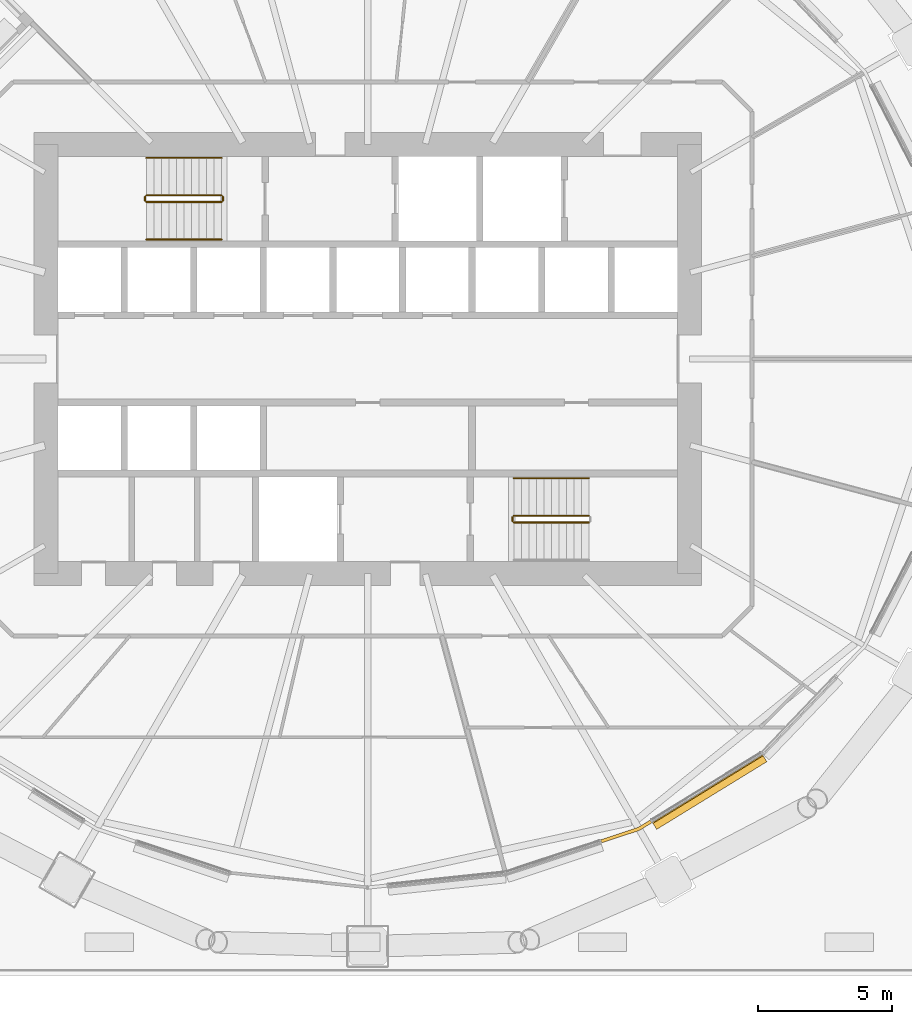
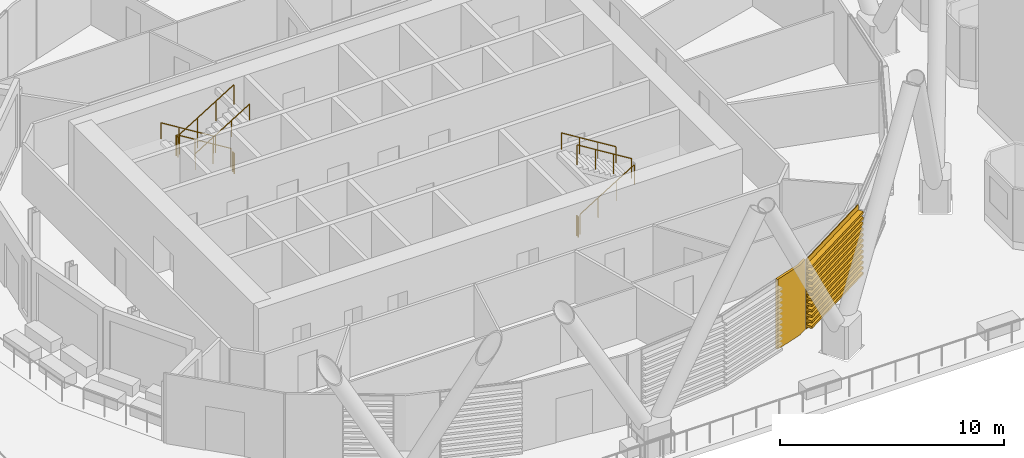
# One storey, part 37 of 47: 10 railings, 2 coverings.
"""IFC4 building model written with IfcOpenShell, lengths in metres."""

from ifc_helpers import new_model, si_unit, direction, frame, origin, origin_2d, place, context, subcontext, project, spatial, polyline, circle, outline, extrude, material, layer, layer_set, material_profile, profile_set, type_object, element, save


model = new_model("IFC4")

# Units and contexts
model_context = context("Model", 3, precision=1e-05, world=origin(), true_north=direction((0.0, 1.0)))
body_context = subcontext(model_context, "Body", "Model", "MODEL_VIEW")
ifc_project = project(units=[si_unit("LENGTHUNIT", "METRE"), si_unit("AREAUNIT", "SQUARE_METRE"), si_unit("VOLUMEUNIT", "CUBIC_METRE"), si_unit("PLANEANGLEUNIT", "RADIAN"), si_unit("MASSUNIT", "GRAM", prefix="KILO")], contexts=[model_context])

# Site, building, storey
site_placement = place(None, origin())
site = spatial("IfcSite", under=ifc_project, at=site_placement, CompositionType="ELEMENT")
building_placement = place(site_placement, origin())
building = spatial("IfcBuilding", under=site, at=building_placement, Name="Rimbun Link Towers", CompositionType="ELEMENT")
storey_placement = place(building_placement, frame((0.0, 0.0, 30.0)))
storey = spatial("IfcBuildingStorey", under=building, at=storey_placement, Name="L06", CompositionType="ELEMENT", Elevation=30.0)

# Covering
ifc_material_1 = material(Name="Terracotta", Category="masonry")
ifc_layer = layer(ifc_material_1, 0.1201171875)
ifc_layer_set = layer_set([ifc_layer], Name="LINK PIER terracotta cladding 120")
covering_type_1 = type_object("IfcCoveringType", Name="LINK PIER terracotta cladding 120", PredefinedType="CLADDING", material=ifc_layer_set)
covering_1_placement = place(storey_placement, origin())
element("IfcCovering", 1, at=covering_1_placement, inside=storey, type_object=covering_type_1, Name="LINK PIER cladding", PredefinedType="CLADDING", context=body_context, shape_type="SweptSolid", body=[
    extrude(outline(polyline([(-21.220703125, -17.197509765625), (-21.663818359375, -17.469482421875), (-23.059326171875, -17.93212890625), (-23.021484375, -18.0458984375), (-21.613037109375, -17.5791015625), (-21.157958984375, -17.2998046875), (-21.220703125, -17.197509765625)])), origin(), (0.0, 0.0, 1.0), 3.800048828125),
])

# Railings
ifc_material_2 = material(Name="Stainless steel grade 316", Category="steel")
railing_type_1 = type_object("IfcRailingType", Name="Stair guard", PredefinedType="GUARDRAIL", material=ifc_material_2)
railing_1_placement = place(storey_placement, frame((-37.199951171875, 6.10009765625, 0.172607421875)))
element("IfcRailing", 2, at=railing_1_placement, inside=storey, type_object=railing_type_1, Name="L06 ST1 stair guard 1", PredefinedType="GUARDRAIL", context=body_context, shape_type="SweptSolid", body=[
    extrude(circle(Radius=0.02392578125, at=origin_2d()), frame((0.0, 0.0, 1.076171875), z_axis=(-0.851089632645, 0.0, 0.525020415988), x_axis=(0.0, -1.0, 0.0)), (0.0, 0.0, 1.0), 3.2900390625),
    extrude(circle(Radius=0.02099609375, at=origin_2d()), origin(), (0.0, 0.0, 1.0), 1.052001953125),
    extrude(circle(Radius=0.02099609375, at=origin_2d()), frame((-0.933349609375, 0.0, 0.57568359375)), (0.0, 0.0, 1.0), 1.052001953125),
    extrude(circle(Radius=0.02099609375, at=origin_2d()), frame((-1.86669921875, 0.0, 1.151611328125)), (0.0, 0.0, 1.0), 1.052001953125),
    extrude(circle(Radius=0.02099609375, at=origin_2d()), frame((-2.800048828125, 0.0, 1.727294921875)), (0.0, 0.0, 1.0), 1.052001953125),
])
railing_2_placement = place(storey_placement, frame((-40.050048828125, 6.050048828125, 1.89990234375)))
element("IfcRailing", 3, at=railing_2_placement, inside=storey, type_object=railing_type_1, Name="L06 ST1 stair guard 2", PredefinedType="GUARDRAIL", context=body_context, shape_type="SweptSolid", body=[
    extrude(circle(Radius=0.02392578125, at=origin_2d()), frame((0.0, 0.0, 1.076171875), z_axis=(0.0, -1.0, 0.0), x_axis=(1.0, 0.0, 0.0)), (0.0, 0.0, 1.0), 0.150146484375),
    extrude(circle(Radius=0.02099609375, at=origin_2d()), origin(), (0.0, 0.0, 1.0), 1.052001953125),
    extrude(circle(Radius=0.02099609375, at=origin_2d()), frame((0.0, -0.150146484375, 0.0)), (0.0, 0.0, 1.0), 1.052001953125),
])
railing_3_placement = place(storey_placement, frame((-40.0, 5.85009765625, 2.07275390625)))
element("IfcRailing", 4, at=railing_3_placement, inside=storey, type_object=railing_type_1, Name="L06 ST1 stair guard 3", PredefinedType="GUARDRAIL", context=body_context, shape_type="SweptSolid", body=[
    extrude(circle(Radius=0.02392578125, at=origin_2d()), frame((0.0, 0.0, 1.076171875), z_axis=(0.851089632645, 0.0, 0.525020415988), x_axis=(0.0, 1.0, 0.0)), (0.0, 0.0, 1.0), 3.2900390625),
    extrude(circle(Radius=0.02099609375, at=origin_2d()), origin(), (0.0, 0.0, 1.0), 1.052001953125),
    extrude(circle(Radius=0.02099609375, at=origin_2d()), frame((0.933349609375, 0.0, 0.57568359375)), (0.0, 0.0, 1.0), 1.052001953125),
    extrude(circle(Radius=0.02099609375, at=origin_2d()), frame((1.86669921875, 0.0, 1.151611328125)), (0.0, 0.0, 1.0), 1.052001953125),
    extrude(circle(Radius=0.02099609375, at=origin_2d()), frame((2.800048828125, 0.0, 1.727294921875)), (0.0, 0.0, 1.0), 1.052001953125),
])
railing_4_placement = place(storey_placement, frame((-37.14990234375, 6.050048828125, 0.0)))
element("IfcRailing", 5, at=railing_4_placement, inside=storey, type_object=railing_type_1, Name="L06 ST1 stair guard 4", PredefinedType="GUARDRAIL", context=body_context, shape_type="SweptSolid", body=[
    extrude(circle(Radius=0.02392578125, at=origin_2d()), frame((0.0, 0.0, 1.076171875), z_axis=(0.0, -1.0, 0.0), x_axis=(1.0, 0.0, 0.0)), (0.0, 0.0, 1.0), 0.150146484375),
    extrude(circle(Radius=0.02099609375, at=origin_2d()), origin(), (0.0, 0.0, 1.0), 1.052001953125),
    extrude(circle(Radius=0.02099609375, at=origin_2d()), frame((0.0, -0.150146484375, 0.0)), (0.0, 0.0, 1.0), 1.052001953125),
])
railing_5_placement = place(storey_placement, frame((-26.300048828125, -6.10009765625, 0.172607421875)))
element("IfcRailing", 6, at=railing_5_placement, inside=storey, type_object=railing_type_1, Name="L06 ST2 stair guard 1", PredefinedType="GUARDRAIL", context=body_context, shape_type="SweptSolid", body=[
    extrude(circle(Radius=0.02392578125, at=origin_2d()), frame((0.0, 0.0, 1.076171875), z_axis=(0.851089632645, 0.0, 0.525020415988), x_axis=(0.0, 1.0, 0.0)), (0.0, 0.0, 1.0), 3.2900390625),
    extrude(circle(Radius=0.02099609375, at=origin_2d()), origin(), (0.0, 0.0, 1.0), 1.052001953125),
    extrude(circle(Radius=0.02099609375, at=origin_2d()), frame((0.933349609375, 0.0, 0.57568359375)), (0.0, 0.0, 1.0), 1.052001953125),
    extrude(circle(Radius=0.02099609375, at=origin_2d()), frame((1.86669921875, 0.0, 1.151611328125)), (0.0, 0.0, 1.0), 1.052001953125),
    extrude(circle(Radius=0.02099609375, at=origin_2d()), frame((2.800048828125, 0.0, 1.727294921875)), (0.0, 0.0, 1.0), 1.052001953125),
])
railing_6_placement = place(storey_placement, frame((-23.5, -5.85009765625, 2.07275390625)))
element("IfcRailing", 7, at=railing_6_placement, inside=storey, type_object=railing_type_1, Name="L06 ST2 stair guard 3", PredefinedType="GUARDRAIL", context=body_context, shape_type="SweptSolid", body=[
    extrude(circle(Radius=0.02392578125, at=origin_2d()), frame((0.0, 0.0, 1.076171875), z_axis=(-0.851089632645, 0.0, 0.525020415988), x_axis=(0.0, -1.0, 0.0)), (0.0, 0.0, 1.0), 3.2900390625),
    extrude(circle(Radius=0.02099609375, at=origin_2d()), origin(), (0.0, 0.0, 1.0), 1.052001953125),
    extrude(circle(Radius=0.02099609375, at=origin_2d()), frame((-0.933349609375, 0.0, 0.57568359375)), (0.0, 0.0, 1.0), 1.052001953125),
    extrude(circle(Radius=0.02099609375, at=origin_2d()), frame((-1.86669921875, 0.0, 1.151611328125)), (0.0, 0.0, 1.0), 1.052001953125),
    extrude(circle(Radius=0.02099609375, at=origin_2d()), frame((-2.800048828125, 0.0, 1.727294921875)), (0.0, 0.0, 1.0), 1.052001953125),
])
railing_7_placement = place(storey_placement, frame((-26.35009765625, -6.050048828125, 0.0)))
element("IfcRailing", 8, at=railing_7_placement, inside=storey, type_object=railing_type_1, Name="L06 ST2 stair guard 4", PredefinedType="GUARDRAIL", context=body_context, shape_type="SweptSolid", body=[
    extrude(circle(Radius=0.02392578125, at=origin_2d()), frame((0.0, 0.0, 1.076171875), z_axis=(0.0, 1.0, 0.0), x_axis=(-1.0, 0.0, 0.0)), (0.0, 0.0, 1.0), 0.150146484375),
    extrude(circle(Radius=0.02099609375, at=origin_2d()), origin(), (0.0, 0.0, 1.0), 1.052001953125),
    extrude(circle(Radius=0.02099609375, at=origin_2d()), frame((0.0, 0.150146484375, 0.0)), (0.0, 0.0, 1.0), 1.052001953125),
])
ifc_material_3 = material(Name="Stainless steel grade 316", Category="steel")
railing_type_2 = type_object("IfcRailingType", Name="Stair handrail", PredefinedType="HANDRAIL", material=ifc_material_3)
railing_8_placement = place(storey_placement, frame((-37.199951171875, 7.5, 0.172607421875)))
element("IfcRailing", 9, at=railing_8_placement, inside=storey, type_object=railing_type_2, Name="L06 ST1 stair handrail 1", PredefinedType="HANDRAIL", context=body_context, shape_type="SweptSolid", body=[
    extrude(circle(Radius=0.02392578125, at=origin_2d()), frame((0.0, 0.0, 0.8759765625), z_axis=(-0.851089632645, 0.0, 0.525020415988), x_axis=(0.0, -1.0, 0.0)), (0.0, 0.0, 1.0), 3.2900390625),
    extrude(circle(Radius=0.02099609375, at=origin_2d()), origin(), (0.0, 0.0, 1.0), 0.851806640625),
    extrude(circle(Radius=0.02099609375, at=origin_2d()), frame((-0.933349609375, 0.0, 0.57568359375)), (0.0, 0.0, 1.0), 0.851806640625),
    extrude(circle(Radius=0.02099609375, at=origin_2d()), frame((-1.86669921875, 0.0, 1.151611328125)), (0.0, 0.0, 1.0), 0.851806640625),
    extrude(circle(Radius=0.02099609375, at=origin_2d()), frame((-2.800048828125, 0.0, 1.727294921875)), (0.0, 0.0, 1.0), 0.851806640625),
])
railing_9_placement = place(storey_placement, frame((-40.0, 4.449951171875, 2.07275390625)))
element("IfcRailing", 10, at=railing_9_placement, inside=storey, type_object=railing_type_2, Name="L06 ST1 stair handrail 2", PredefinedType="HANDRAIL", context=body_context, shape_type="SweptSolid", body=[
    extrude(circle(Radius=0.02392578125, at=origin_2d()), frame((0.0, 0.0, 0.8759765625), z_axis=(0.851089632645, 0.0, 0.525020415988), x_axis=(0.0, 1.0, 0.0)), (0.0, 0.0, 1.0), 3.2900390625),
    extrude(circle(Radius=0.02099609375, at=origin_2d()), origin(), (0.0, 0.0, 1.0), 0.851806640625),
    extrude(circle(Radius=0.02099609375, at=origin_2d()), frame((0.933349609375, 0.0, 0.57568359375)), (0.0, 0.0, 1.0), 0.851806640625),
    extrude(circle(Radius=0.02099609375, at=origin_2d()), frame((1.86669921875, 0.0, 1.151611328125)), (0.0, 0.0, 1.0), 0.851806640625),
    extrude(circle(Radius=0.02099609375, at=origin_2d()), frame((2.800048828125, 0.0, 1.727294921875)), (0.0, 0.0, 1.0), 0.851806640625),
])
railing_10_placement = place(storey_placement, frame((-23.5, -4.449951171875, 2.07275390625)))
element("IfcRailing", 11, at=railing_10_placement, inside=storey, type_object=railing_type_2, Name="L06 ST2 stair handrail 2", PredefinedType="HANDRAIL", context=body_context, shape_type="SweptSolid", body=[
    extrude(circle(Radius=0.02392578125, at=origin_2d()), frame((0.0, 0.0, 0.8759765625), z_axis=(-0.851089632645, 0.0, 0.525020415988), x_axis=(0.0, -1.0, 0.0)), (0.0, 0.0, 1.0), 3.2900390625),
    extrude(circle(Radius=0.02099609375, at=origin_2d()), origin(), (0.0, 0.0, 1.0), 0.851806640625),
    extrude(circle(Radius=0.02099609375, at=origin_2d()), frame((-0.933349609375, 0.0, 0.57568359375)), (0.0, 0.0, 1.0), 0.851806640625),
    extrude(circle(Radius=0.02099609375, at=origin_2d()), frame((-1.86669921875, 0.0, 1.151611328125)), (0.0, 0.0, 1.0), 0.851806640625),
    extrude(circle(Radius=0.02099609375, at=origin_2d()), frame((-2.800048828125, 0.0, 1.727294921875)), (0.0, 0.0, 1.0), 0.851806640625),
])

# Covering
ifc_material_4 = material(Name="Terracotta", Category="masonry")
ifc_material_profile = material_profile(ifc_material_4, outline(polyline([(0.123046875, 0.0), (0.1630859375, 0.0), (0.1630859375, 0.10009765625), (0.423095703125, 0.10009765625), (0.423095703125, 0.219970703125), (0.1630859375, 0.219970703125), (0.1630859375, 0.39990234375), (0.423095703125, 0.39990234375), (0.423095703125, 0.52001953125), (0.1630859375, 0.52001953125), (0.1630859375, 0.699951171875), (0.423095703125, 0.699951171875), (0.423095703125, 0.820068359375), (0.1630859375, 0.820068359375), (0.1630859375, 1.0), (0.423095703125, 1.0), (0.423095703125, 1.1201171875), (0.1630859375, 1.1201171875), (0.1630859375, 1.300048828125), (0.423095703125, 1.300048828125), (0.423095703125, 1.419921875), (0.1630859375, 1.419921875), (0.1630859375, 1.60009765625), (0.423095703125, 1.60009765625), (0.423095703125, 1.719970703125), (0.1630859375, 1.719970703125), (0.1630859375, 1.89990234375), (0.423095703125, 1.89990234375), (0.423095703125, 2.02001953125), (0.1630859375, 2.02001953125), (0.1630859375, 2.199951171875), (0.423095703125, 2.199951171875), (0.423095703125, 2.320068359375), (0.1630859375, 2.320068359375), (0.1630859375, 2.5), (0.423095703125, 2.5), (0.423095703125, 2.6201171875), (0.1630859375, 2.6201171875), (0.1630859375, 2.800048828125), (0.423095703125, 2.800048828125), (0.423095703125, 2.919921875), (0.1630859375, 2.919921875), (0.1630859375, 3.10009765625), (0.423095703125, 3.10009765625), (0.423095703125, 3.219970703125), (0.1630859375, 3.219970703125), (0.1630859375, 3.39990234375), (0.423095703125, 3.39990234375), (0.423095703125, 3.52001953125), (0.1630859375, 3.52001953125), (0.1630859375, 3.800048828125), (0.123046875, 3.800048828125), (0.123046875, 0.0)])), Name="BAGUETTE 120X300")
ifc_profile_set = profile_set([ifc_material_profile], Name="Terracotta")
covering_type_2 = type_object("IfcCoveringType", Name="TERRACOTTA BAGUETTE 120X300 H3800", PredefinedType="CLADDING", material=ifc_profile_set)
covering_2_placement = place(storey_placement, frame((-17.089111328125, -14.660888671875, 0.0), z_axis=(-0.852204123862, -0.523209452583, 0.0), x_axis=(0.523209452583, -0.852204123862, 0.0)))
element("IfcCovering", 12, at=covering_2_placement, inside=storey, type_object=covering_type_2, Name="TERRACOTTA BAGUETTE", PredefinedType="CLADDING", context=body_context, shape_type="SweptSolid", body=[
    extrude(outline(polyline([(0.123046875, 0.0), (0.1630859375, 0.0), (0.1630859375, 0.10009765625), (0.423095703125, 0.10009765625), (0.423095703125, 0.219970703125), (0.1630859375, 0.219970703125), (0.1630859375, 0.39990234375), (0.423095703125, 0.39990234375), (0.423095703125, 0.52001953125), (0.1630859375, 0.52001953125), (0.1630859375, 0.699951171875), (0.423095703125, 0.699951171875), (0.423095703125, 0.820068359375), (0.1630859375, 0.820068359375), (0.1630859375, 1.0), (0.423095703125, 1.0), (0.423095703125, 1.1201171875), (0.1630859375, 1.1201171875), (0.1630859375, 1.300048828125), (0.423095703125, 1.300048828125), (0.423095703125, 1.419921875), (0.1630859375, 1.419921875), (0.1630859375, 1.60009765625), (0.423095703125, 1.60009765625), (0.423095703125, 1.719970703125), (0.1630859375, 1.719970703125), (0.1630859375, 1.89990234375), (0.423095703125, 1.89990234375), (0.423095703125, 2.02001953125), (0.1630859375, 2.02001953125), (0.1630859375, 2.199951171875), (0.423095703125, 2.199951171875), (0.423095703125, 2.320068359375), (0.1630859375, 2.320068359375), (0.1630859375, 2.5), (0.423095703125, 2.5), (0.423095703125, 2.6201171875), (0.1630859375, 2.6201171875), (0.1630859375, 2.800048828125), (0.423095703125, 2.800048828125), (0.423095703125, 2.919921875), (0.1630859375, 2.919921875), (0.1630859375, 3.10009765625), (0.423095703125, 3.10009765625), (0.423095703125, 3.219970703125), (0.1630859375, 3.219970703125), (0.1630859375, 3.39990234375), (0.423095703125, 3.39990234375), (0.423095703125, 3.52001953125), (0.1630859375, 3.52001953125), (0.1630859375, 3.800048828125), (0.123046875, 3.800048828125), (0.123046875, 0.0)])), origin(), (0.0, 0.0, 1.0), 4.818359375),
])

save(model, "model.ifc")
